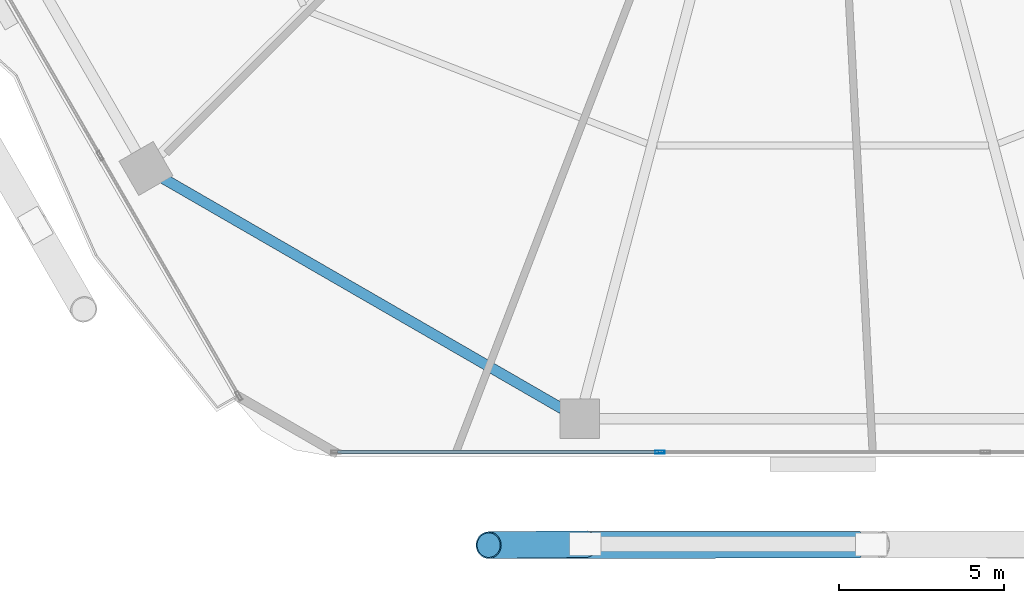
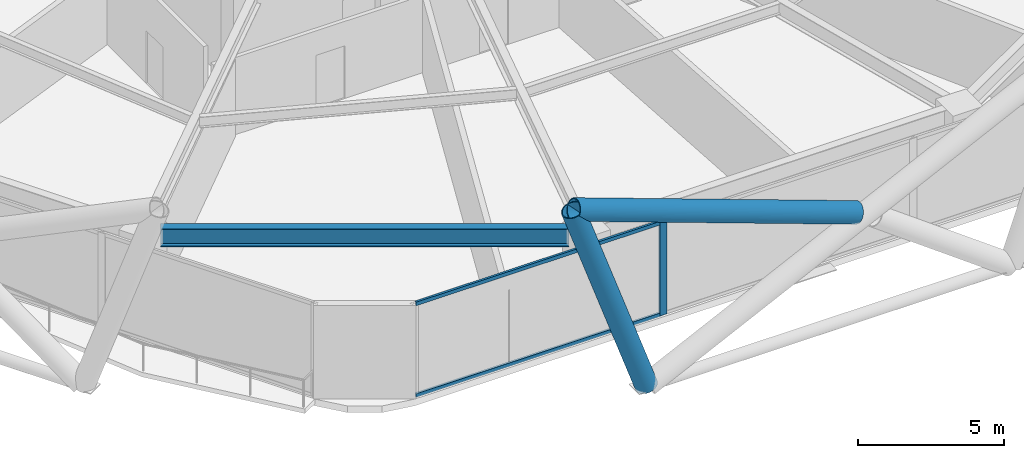
# One storey, part 3 of 30: 5 members, 1 beam, 1 element without a shape of its own.
"""IFC4 building model written with IfcOpenShell, lengths in metres."""

from ifc_helpers import new_model, si_unit, direction, frame, origin, origin_2d, place, context, subcontext, project, spatial, hollow_rectangle, hollow_circle, i_section, extrude, material, material_profile, profile_set, type_object, element, aggregate, save


model = new_model("IFC4")

# Units and contexts
model_context = context("Model", 3, precision=1e-05, world=origin(), true_north=direction((0.0, 1.0)))
body_context = subcontext(model_context, "Body", "Model", "MODEL_VIEW")
ifc_project = project(units=[si_unit("LENGTHUNIT", "METRE"), si_unit("AREAUNIT", "SQUARE_METRE"), si_unit("VOLUMEUNIT", "CUBIC_METRE"), si_unit("PLANEANGLEUNIT", "RADIAN"), si_unit("MASSUNIT", "GRAM", prefix="KILO")], contexts=[model_context])

# Site, building, storey
site_placement = place(None, origin())
site = spatial("IfcSite", under=ifc_project, at=site_placement, CompositionType="ELEMENT")
building_placement = place(site_placement, origin())
building = spatial("IfcBuilding", under=site, at=building_placement, Name="Zuhravey Tower", CompositionType="ELEMENT")
storey_placement = place(building_placement, frame((0.0, 0.0, 16.199951171875)))
storey = spatial("IfcBuildingStorey", under=building, at=storey_placement, Name="L04", CompositionType="ELEMENT", Elevation=16.199951171875)

# Curtain wall, members
ifc_material_1 = material(Name="Thermally broken anodised aluminium", Category="aluminium")
curtain_wall_type = type_object("IfcCurtainWallType", Name="School Low-E Unitised Curtain Wall CW1", PredefinedType="NOTDEFINED", material=ifc_material_1)
curtain_wall_placement = place(storey_placement, origin())
curtain_wall = element("IfcCurtainWall", 1, at=curtain_wall_placement, inside=storey, type_object=curtain_wall_type, Name="L04 CW1 CW-L04-F5-1", PredefinedType="NOTDEFINED")
ifc_material_2 = material(Name="Anodised aluminium", Category="aluminium")
ifc_material_profile_1 = material_profile(ifc_material_2, hollow_rectangle(XDim=0.090087890625, YDim=0.284912109375, WallThickness=0.0048828125, at=origin_2d()), Name="ALU-RHS-90x285x5")
ifc_profile_set_1 = profile_set([ifc_material_profile_1], Name="Anodised aluminium")
member_type_1 = type_object("IfcMemberType", Name="Curtain-Wall Mullion 90x180", PredefinedType="MULLION", material=ifc_profile_set_1)
member_1_placement = place(storey_placement, frame((31.06689453125, 3.04150390625, 0.0), z_axis=(0.0, 0.0, 1.0), x_axis=(0.0, -1.0, 0.0)))
member_1 = element("IfcMember", 2, at=member_1_placement, type_object=member_type_1, Name="CW1 mullion 3", PredefinedType="MULLION", context=body_context, shape_type="SweptSolid", body=[
    extrude(hollow_rectangle(XDim=0.090087890625, YDim=0.284912109375, WallThickness=0.0048828125, at=origin_2d()), origin(), (0.0, 0.0, 1.0), 3.920166015625),
])
ifc_material_profile_2 = material_profile(ifc_material_2, hollow_rectangle(XDim=0.090087890625, YDim=0.14990234375, WallThickness=0.0048828125, at=origin_2d()), Name="ALU-RHS-90x150x5")
ifc_profile_set_2 = profile_set([ifc_material_profile_2], Name="Anodised aluminium")
member_type_2 = type_object("IfcMemberType", Name="Curtain-Wall Transom 90x150", PredefinedType="USERDEFINED", material=ifc_profile_set_2)
member_2_placement = place(storey_placement, frame((31.021728515625, 3.04150390625, 0.045166015625), z_axis=(-1.0, 0.0, 0.0), x_axis=(0.0, -1.0, 0.0)))
member_2 = element("IfcMember", 3, at=member_2_placement, type_object=member_type_2, Name="CW1 transom 3.1", ObjectType="TRANSOM", PredefinedType="USERDEFINED", context=body_context, shape_type="SweptSolid", body=[
    extrude(hollow_rectangle(XDim=0.090087890625, YDim=0.14990234375, WallThickness=0.0048828125, at=origin_2d()), origin(), (0.0, 0.0, 1.0), 9.731201171875),
])
member_3_placement = place(storey_placement, frame((31.021728515625, 3.04150390625, 3.875), z_axis=(-1.0, 0.0, 0.0), x_axis=(0.0, -1.0, 0.0)))
member_3 = element("IfcMember", 4, at=member_3_placement, type_object=member_type_2, Name="CW1 transom 3.2", ObjectType="TRANSOM", PredefinedType="USERDEFINED", context=body_context, shape_type="SweptSolid", body=[
    extrude(hollow_rectangle(XDim=0.090087890625, YDim=0.14990234375, WallThickness=0.0048828125, at=origin_2d()), origin(), (0.0, 0.0, 1.0), 9.731201171875),
])
aggregate(curtain_wall, [member_1, member_2, member_3])

# Members
ifc_material_3 = material(Name="Steel SM460", Category="steel")
ifc_material_profile_3 = material_profile(ifc_material_3, hollow_circle(Radius=0.406494140625, WallThickness=0.035888671875, at=origin_2d()), Name="CHS-812.8x36")
ifc_profile_set_3 = profile_set([ifc_material_profile_3], Name="Steel SM460")
member_type_3 = type_object("IfcMemberType", Name="Exoskeleton Zone 1 Diagrid CHS813x36", PredefinedType="BRACE", material=ifc_profile_set_3)
member_4_placement = place(storey_placement, frame((28.79833984375, 0.25146484375, -0.471923828125), z_axis=(-0.330640861788, -0.003364038457, 0.943750657622), x_axis=(0.010173770828, -0.999948245854, 0.0)))
element("IfcMember", 5, at=member_4_placement, inside=storey, type_object=member_type_3, Name="L04 Face 5 Diagrid Brace 1", PredefinedType="BRACE", context=body_context, shape_type="SweptSolid", body=[
    extrude(hollow_circle(Radius=0.406494140625, WallThickness=0.035888671875, at=origin_2d()), origin(), (0.0, 0.0, 1.0), 8.85400390625),
])
member_5_placement = place(storey_placement, frame((37.0986328125, 0.236083984375, 3.841064453125), z_axis=(-0.940345089755, -0.001210674296, 0.340219997122), x_axis=(0.001287477657, -0.9999991712, 0.0)))
element("IfcMember", 6, at=member_5_placement, inside=storey, type_object=member_type_3, Name="L04 Face 5 Split Diagrid Brace 3B", PredefinedType="BRACE", context=body_context, shape_type="SweptSolid", body=[
    extrude(hollow_circle(Radius=0.406494140625, WallThickness=0.035888671875, at=origin_2d()), origin(), (0.0, 0.0, 1.0), 11.897705078125),
])

# Beam
ifc_material_4 = material(Name="Steel SM355", Category="steel")
ifc_material_profile_4 = material_profile(ifc_material_4, i_section(OverallWidth=0.320068359375, OverallDepth=0.75, WebThickness=0.013916015625, FlangeThickness=0.02490234375, at=origin_2d()), Name="H-750x320x14x25")
ifc_profile_set_4 = profile_set([ifc_material_profile_4], Name="Steel SM355")
beam_type = type_object("IfcBeamType", Name="Perimeter Ring Beam H750x320", PredefinedType="BEAM", material=ifc_profile_set_4)
beam_placement = place(storey_placement, frame((16.003173828125, 11.341552734375, 3.545166015625), z_axis=(0.866029969761, -0.499992091414, 0.0), x_axis=(0.499992091414, 0.866029969761, 0.0)))
element("IfcBeam", 7, at=beam_placement, inside=storey, type_object=beam_type, Name="L04 PB1 BM-L04-PB-08", PredefinedType="BEAM", context=body_context, shape_type="SweptSolid", body=[
    extrude(i_section(OverallWidth=0.320068359375, OverallDepth=0.75, WebThickness=0.013916015625, FlangeThickness=0.02490234375, at=origin_2d()), origin(), (0.0, 0.0, 1.0), 13.977294921875),
])

save(model, "model.ifc")
